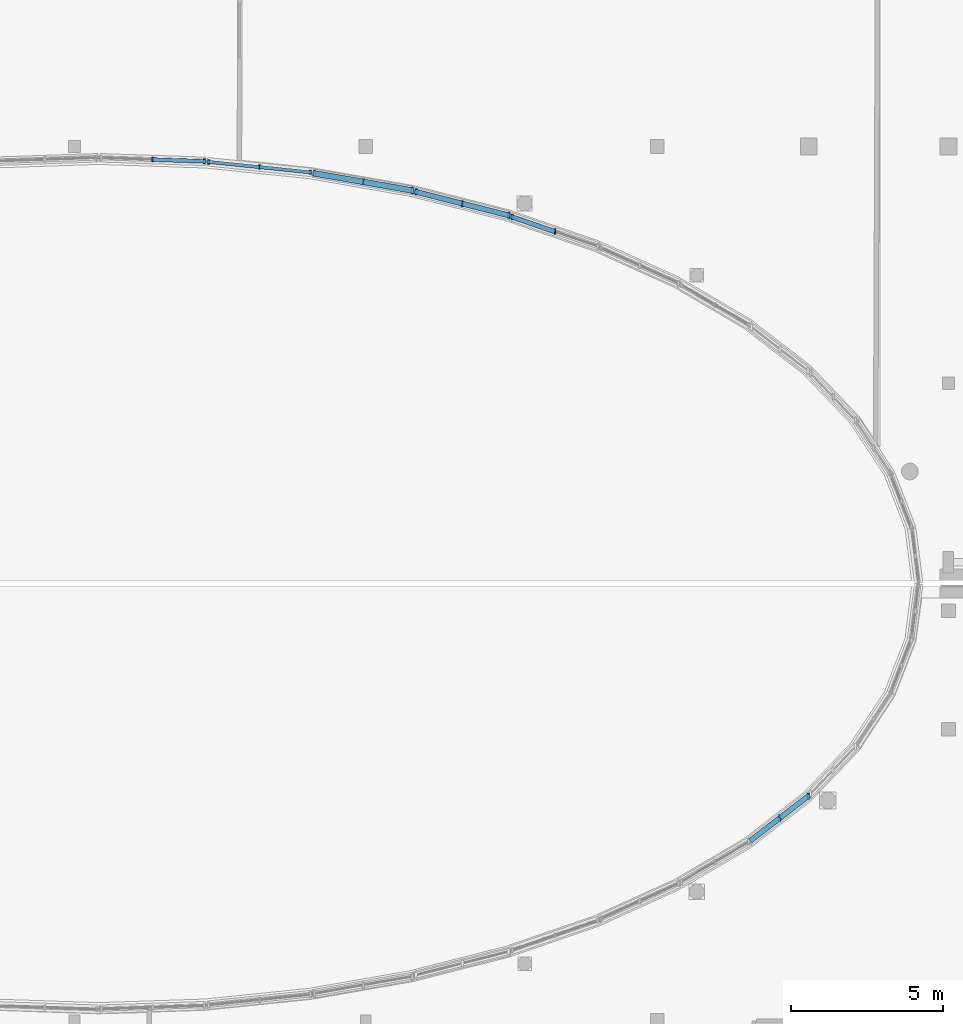
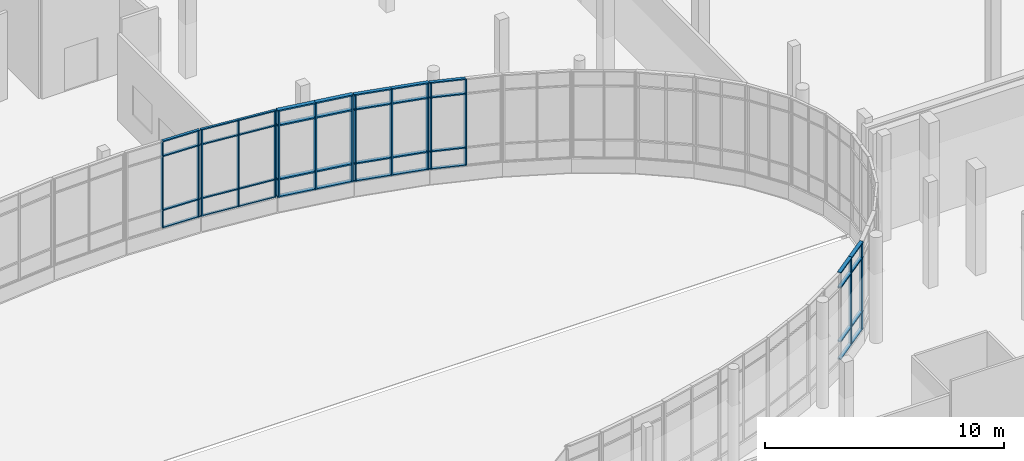
# One storey, part 23 of 84: 55 members, 6 elements without a shape of their own.
"""IFC4 building model written with IfcOpenShell, lengths in metres."""

import ifcopenshell
import ifcopenshell.guid

model = None  # the IFC model being written
_history = None  # IfcOwnerHistory: only IFC2X3 demands one
_inside = {}  # id of a spatial element -> (the spatial element, [elements in it])
_under = {}  # id of a project, library or spatial element -> (it, [spatial elements below it])
_declared = {}  # id of a project -> (the project, [libraries it declares])
_typed = {}  # id of a type object -> (the type object, [elements of that type])
_made_of = {}  # id of a material, layer set ... -> (it, [elements and type objects made of it])


def new_model(schema):
    """Start an empty IFC model of exactly this schema.

    Asked for "IFC4X3", IfcOpenShell would pick the latest addendum, in which some entities
    have other attributes; the version numbers below select the first issue.
    IFC2X3 requires an IfcOwnerHistory on every rooted entity: one is made here for all.
    """
    global model, _history
    if schema == "IFC4X3":
        model = ifcopenshell.file(schema_version=(4, 3, 0, 0))
    else:
        model = ifcopenshell.file(schema=schema)
    _inside.clear()
    _under.clear()
    _declared.clear()
    _typed.clear()
    _made_of.clear()
    _history = None
    if model.schema == "IFC2X3":
        org = make("IfcOrganization", Name="unknown")
        user = make(
            "IfcPersonAndOrganization",
            ThePerson=make("IfcPerson", FamilyName="unknown"),
            TheOrganization=org,
        )
        app = make(
            "IfcApplication",
            ApplicationDeveloper=org,
            Version="unknown",
            ApplicationFullName="unknown",
            ApplicationIdentifier="unknown",
        )
        _history = make(
            "IfcOwnerHistory",
            OwningUser=user,
            OwningApplication=app,
            ChangeAction="ADDED",
            CreationDate=0,
        )
    return model


def make(cls, **values):
    """One entity of the class cls with the attributes given. An attribute that is None is left unset."""
    return model.create_entity(
        cls, **{name: value for name, value in values.items() if value is not None}
    )


def rooted(cls, **values):
    """An entity with a GlobalId (a new one), such as an element, a storey or a relation."""
    return make(cls, GlobalId=ifcopenshell.guid.new(), OwnerHistory=_history, **values)


def si_unit(unit_type, name, prefix=None):
    """IfcSIUnit, for example si_unit("LENGTHUNIT", "METRE", prefix="MILLI")."""
    return make("IfcSIUnit", UnitType=unit_type, Prefix=prefix, Name=name)


def assignment(units):
    """IfcUnitAssignment: the units of a project."""
    return None if units is None else make("IfcUnitAssignment", Units=units)


def point(xyz):
    """IfcCartesianPoint."""
    return None if xyz is None else make("IfcCartesianPoint", Coordinates=xyz)


def direction(xyz):
    """IfcDirection."""
    return None if xyz is None else make("IfcDirection", DirectionRatios=xyz)


def frame(location, z_axis=None, x_axis=None):
    """IfcAxis2Placement3D, a coordinate frame: its origin and axes. An axis left out is left unset."""
    return make(
        "IfcAxis2Placement3D",
        Location=point(location),
        Axis=direction(z_axis),
        RefDirection=direction(x_axis),
    )


def frame_2d(location, x_axis=None):
    """IfcAxis2Placement2D, a coordinate frame in the plane: its origin and x axis."""
    return make(
        "IfcAxis2Placement2D", Location=point(location), RefDirection=direction(x_axis)
    )


def origin():
    """The frame at (0, 0, 0) with its axes left unset."""
    return frame((0.0, 0.0, 0.0))


def origin_2d():
    """The frame at (0, 0) in the plane with its x axis left unset."""
    return frame_2d((0.0, 0.0))


def place(relative_to, where):
    """IfcLocalPlacement: puts the frame where relative to a parent placement (None: the world)."""
    return make(
        "IfcLocalPlacement", PlacementRelTo=relative_to, RelativePlacement=where
    )


def context(
    kind, dimensions, precision=None, world=None, true_north=None, identifier=None
):
    """IfcGeometricRepresentationContext, for example the 3D "Model" context."""
    return make(
        "IfcGeometricRepresentationContext",
        ContextIdentifier=identifier,
        ContextType=kind,
        CoordinateSpaceDimension=dimensions,
        Precision=precision,
        WorldCoordinateSystem=world,
        TrueNorth=true_north,
    )


def subcontext(parent, identifier, kind, view, scale=None):
    """IfcGeometricRepresentationSubContext, for example "Body" below "Model"."""
    return make(
        "IfcGeometricRepresentationSubContext",
        ContextIdentifier=identifier,
        ContextType=kind,
        ParentContext=parent,
        TargetScale=scale,
        TargetView=view,
    )


def project(units=None, contexts=None):
    """IfcProject with its units and contexts."""
    return rooted(
        "IfcProject",
        Name="project",
        RepresentationContexts=contexts,
        UnitsInContext=assignment(units),
    )


def spatial(cls, under=None, at=None, **own):
    """A site, building, storey or space (cls), placed at a placement, below another one or the project."""
    s = rooted(cls, ObjectPlacement=at, **own)
    if under is not None:
        _under.setdefault(under.id(), (under, []))[1].append(s)
    return s


def profile(cls, at=None, kind="AREA", **sizes):
    """A parametric profile (cls). Its sizes go by their IFC names, for example OverallWidth=200.0."""
    return make(cls, ProfileType=kind, Position=at, **sizes)


def rectangle(**sizes):
    """IfcRectangleProfileDef."""
    return profile("IfcRectangleProfileDef", **sizes)


def extrude(swept, where, along, depth):
    """IfcExtrudedAreaSolid: the profile swept, set in the frame where, extruded along a direction by depth."""
    return make(
        "IfcExtrudedAreaSolid",
        SweptArea=swept,
        Position=where,
        ExtrudedDirection=direction(along),
        Depth=depth,
    )


def shape(context_of_items, identifier, shape_type, items):
    """IfcShapeRepresentation: the items that make up one representation, for example the "Body"."""
    return make(
        "IfcShapeRepresentation",
        ContextOfItems=context_of_items,
        RepresentationIdentifier=identifier,
        RepresentationType=shape_type,
        Items=items,
    )


def material(Name=None, Category=None):
    """IfcMaterial."""
    return make("IfcMaterial", Name=Name, Category=Category)


def material_profile(
    of_material, cross_section, Name=None, Category=None, Priority=None
):
    """IfcMaterialProfile: a cross section and its material."""
    return make(
        "IfcMaterialProfile",
        Name=Name,
        Material=of_material,
        Profile=cross_section,
        Priority=Priority,
        Category=Category,
    )


def profile_set(profiles, Name=None, composite=None):
    """IfcMaterialProfileSet."""
    return make(
        "IfcMaterialProfileSet",
        Name=Name,
        MaterialProfiles=profiles,
        CompositeProfile=composite,
    )


def made_of(thing, what):
    """Note that an element or type object is made of a material, layer set ...; save() writes the relation."""
    if what is not None:
        _made_of.setdefault(what.id(), (what, []))[1].append(thing)
    return thing


def type_object(cls, material=None, **own):
    """A type object (cls), such as IfcWallType, which elements share."""
    return made_of(rooted(cls, **own), material)


def element(
    cls,
    number,
    at=None,
    inside=None,
    cuts=None,
    type_object=None,
    material=None,
    context=None,
    identifier="Body",
    shape_type=None,
    held_by="IfcProductDefinitionShape",
    body=None,
    shapes=None,
    **own,
):
    """One element of the class cls, such as IfcWall. Its Tag is "e" and its number.

    at: its placement. inside: the storey or other place that contains it. cuts: it is an
    opening in that element (IfcRelVoidsElement). A single representation is given by context,
    identifier, shape_type and body (its items); several are given by shapes. held_by: the class
    of the entity that holds the representations. save() writes the other relations.
    """
    e = rooted(cls, Tag="e%d" % number, ObjectPlacement=at, **own)
    if body is not None:
        shapes = [shape(context, identifier, shape_type, body)]
    if shapes is not None:
        e.Representation = make(held_by, Representations=shapes)
    if inside is not None:
        _inside.setdefault(inside.id(), (inside, []))[1].append(e)
    if cuts is not None:
        rooted(
            "IfcRelVoidsElement", RelatingBuildingElement=cuts, RelatedOpeningElement=e
        )
    if type_object is not None:
        _typed.setdefault(type_object.id(), (type_object, []))[1].append(e)
    return made_of(e, material)


def aggregate(whole, parts):
    """IfcRelAggregates: a whole, such as a stair, and the parts it consists of."""
    return rooted("IfcRelAggregates", RelatingObject=whole, RelatedObjects=parts)


def save(model, path):
    """Write the relations noted so far, then the file.

    IfcRelAggregates (storeys below a building ...), IfcRelContainedInSpatialStructure (elements
    in a storey), IfcRelDefinesByType, IfcRelAssociatesMaterial and IfcRelDeclares: one each for
    every whole, place, type object, material and project.
    """
    for whole, parts in _under.values():
        aggregate(whole, parts)
    for where, things in _inside.values():
        rooted(
            "IfcRelContainedInSpatialStructure",
            RelatedElements=things,
            RelatingStructure=where,
        )
    for kind, things in _typed.values():
        rooted("IfcRelDefinesByType", RelatedObjects=things, RelatingType=kind)
    for what, things in _made_of.values():
        rooted("IfcRelAssociatesMaterial", RelatedObjects=things, RelatingMaterial=what)
    for by, libraries in _declared.values():
        rooted("IfcRelDeclares", RelatingContext=by, RelatedDefinitions=libraries)
    model.write(path)


model = new_model("IFC4")

# Units and contexts
model_context = context("Model", 3, precision=1e-05, world=origin(), true_north=direction((0.0, 1.0)))
body_context = subcontext(model_context, "Body", "Model", "MODEL_VIEW")
ifc_project = project(units=[si_unit("LENGTHUNIT", "METRE"), si_unit("AREAUNIT", "SQUARE_METRE"), si_unit("VOLUMEUNIT", "CUBIC_METRE"), si_unit("PLANEANGLEUNIT", "RADIAN"), si_unit("MASSUNIT", "GRAM", prefix="KILO")], contexts=[model_context])

# Site, building, storey
site_placement = place(None, origin())
site = spatial("IfcSite", under=ifc_project, at=site_placement, CompositionType="ELEMENT")
building_placement = place(site_placement, origin())
building = spatial("IfcBuilding", under=site, at=building_placement, Name="Mzevani Central Library", CompositionType="ELEMENT")
storey_placement = place(building_placement, origin())
storey = spatial("IfcBuildingStorey", under=building, at=storey_placement, Name="L00", CompositionType="ELEMENT", Elevation=0.0)

# Curtain wall, members
ifc_material_1 = material(Name="Thermally broken aluminium and Low-E triple glazing", Category="aluminium")
curtain_wall_type_1 = type_object("IfcCurtainWallType", Name="Elliptical Court Unitised Curtain Wall", PredefinedType="NOTDEFINED", material=ifc_material_1)
curtain_wall_1_placement = place(storey_placement, origin())
curtain_wall_1 = element("IfcCurtainWall", 1, at=curtain_wall_1_placement, inside=storey, type_object=curtain_wall_type_1, Name="L00 Elliptical Court Curtain Wall 11", PredefinedType="NOTDEFINED")
ifc_material_2 = material(Name="Thermally broken aluminium AW-6060", Category="aluminium")
ifc_material_profile_1 = material_profile(ifc_material_2, rectangle(XDim=0.06005859375, YDim=0.139892578125, at=origin_2d()), Name="ALU M60x140")
ifc_profile_set_1 = profile_set([ifc_material_profile_1], Name="Thermally broken aluminium AW-6060")
member_type_1 = type_object("IfcMemberType", Name="CW Mullion 60x140", PredefinedType="MULLION", material=ifc_profile_set_1)
member_1_placement = place(storey_placement, frame((90.9658203125, 89.552001953125, 0.719970703125), z_axis=(0.0, 0.0, 1.0), x_axis=(1.0, 0.0, 0.0)))
member_1 = element("IfcMember", 2, at=member_1_placement, type_object=member_type_1, Name="L00 Elliptical Court Curtain Wall 11 Mullion 1", PredefinedType="MULLION", context=body_context, shape_type="SweptSolid", body=[
    extrude(rectangle(XDim=0.06005859375, YDim=0.139892578125, at=origin_2d()), origin(), (0.0, 0.0, 1.0), 4.400146484375),
])
member_2_placement = place(storey_placement, frame((89.29638671875, 89.72314453125, 0.719970703125), z_axis=(0.0, 0.0, 1.0), x_axis=(1.0, 0.0, 0.0)))
member_2 = element("IfcMember", 3, at=member_2_placement, type_object=member_type_1, Name="L00 Elliptical Court Curtain Wall 11 Mullion 2", PredefinedType="MULLION", context=body_context, shape_type="SweptSolid", body=[
    extrude(rectangle(XDim=0.06005859375, YDim=0.139892578125, at=origin_2d()), origin(), (0.0, 0.0, 1.0), 4.400146484375),
])
member_3_placement = place(storey_placement, frame((87.626953125, 89.894287109375, 0.719970703125), z_axis=(0.0, 0.0, 1.0), x_axis=(1.0, 0.0, 0.0)))
member_3 = element("IfcMember", 4, at=member_3_placement, type_object=member_type_1, Name="L00 Elliptical Court Curtain Wall 11 Mullion 3", PredefinedType="MULLION", context=body_context, shape_type="SweptSolid", body=[
    extrude(rectangle(XDim=0.06005859375, YDim=0.139892578125, at=origin_2d()), origin(), (0.0, 0.0, 1.0), 4.400146484375),
])

curtain_wall_2_placement = place(storey_placement, origin())
curtain_wall_2 = element("IfcCurtainWall", 5, at=curtain_wall_2_placement, inside=storey, type_object=curtain_wall_type_1, Name="L00 Elliptical Court Curtain Wall 12", PredefinedType="NOTDEFINED")
ifc_material_profile_2 = material_profile(ifc_material_2, rectangle(XDim=0.06005859375, YDim=0.159912109375, at=origin_2d()), Name="ALU M60x160")
ifc_profile_set_2 = profile_set([ifc_material_profile_2], Name="Thermally broken aluminium AW-6060")
member_type_2 = type_object("IfcMemberType", Name="CW Mullion 60x160", PredefinedType="MULLION", material=ifc_profile_set_2)
member_4_placement = place(storey_placement, frame((87.475830078125, 89.9140625, 0.719970703125), z_axis=(0.0, 0.0, 1.0), x_axis=(1.0, 0.0, 0.0)))
member_4 = element("IfcMember", 6, at=member_4_placement, type_object=member_type_2, Name="L00 Elliptical Court Curtain Wall 12 Mullion 1", PredefinedType="MULLION", context=body_context, shape_type="SweptSolid", body=[
    extrude(rectangle(XDim=0.06005859375, YDim=0.159912109375, at=origin_2d()), origin(), (0.0, 0.0, 1.0), 4.400146484375),
])
member_5_placement = place(storey_placement, frame((85.77685546875, 89.971435546875, 0.719970703125), z_axis=(0.0, 0.0, 1.0), x_axis=(1.0, 0.0, 0.0)))
member_5 = element("IfcMember", 7, at=member_5_placement, type_object=member_type_2, Name="L00 Elliptical Court Curtain Wall 12 Mullion 2", PredefinedType="MULLION", context=body_context, shape_type="SweptSolid", body=[
    extrude(rectangle(XDim=0.06005859375, YDim=0.159912109375, at=origin_2d()), origin(), (0.0, 0.0, 1.0), 4.400146484375),
])

curtain_wall_3_placement = place(storey_placement, origin())
curtain_wall_3 = element("IfcCurtainWall", 8, at=curtain_wall_3_placement, inside=storey, type_object=curtain_wall_type_1, Name="L00 Elliptical Court Curtain Wall 8", PredefinedType="NOTDEFINED")
ifc_material_profile_3 = material_profile(ifc_material_2, rectangle(XDim=0.06005859375, YDim=0.179931640625, at=origin_2d()), Name="ALU M60x180")
ifc_profile_set_3 = profile_set([ifc_material_profile_3], Name="Thermally broken aluminium AW-6060")
member_type_3 = type_object("IfcMemberType", Name="CW Mullion 60x180", PredefinedType="MULLION", material=ifc_profile_set_3)
member_6_placement = place(storey_placement, frame((99.031494140625, 87.59423828125, 0.719970703125), z_axis=(0.0, 0.0, 1.0), x_axis=(1.0, 0.0, 0.0)))
member_6 = element("IfcMember", 9, at=member_6_placement, type_object=member_type_3, Name="L00 Elliptical Court Curtain Wall 8 Mullion 2", PredefinedType="MULLION", context=body_context, shape_type="SweptSolid", body=[
    extrude(rectangle(XDim=0.06005859375, YDim=0.179931640625, at=origin_2d()), origin(), (0.0, 0.0, 1.0), 4.400146484375),
])
member_7_placement = place(storey_placement, frame((97.62158203125, 88.079833984375, 0.719970703125), z_axis=(0.0, 0.0, 1.0), x_axis=(1.0, 0.0, 0.0)))
member_7 = element("IfcMember", 10, at=member_7_placement, type_object=member_type_3, Name="L00 Elliptical Court Curtain Wall 8 Mullion 3", PredefinedType="MULLION", context=body_context, shape_type="SweptSolid", body=[
    extrude(rectangle(XDim=0.06005859375, YDim=0.179931640625, at=origin_2d()), origin(), (0.0, 0.0, 1.0), 4.400146484375),
])

curtain_wall_4_placement = place(storey_placement, origin())
curtain_wall_4 = element("IfcCurtainWall", 11, at=curtain_wall_4_placement, inside=storey, type_object=curtain_wall_type_1, Name="L00 Elliptical Court Curtain Wall 9", PredefinedType="NOTDEFINED")
ifc_material_profile_4 = material_profile(ifc_material_2, rectangle(XDim=0.06494140625, YDim=0.199951171875, at=origin_2d()), Name="ALU M65x200")
ifc_profile_set_4 = profile_set([ifc_material_profile_4], Name="Thermally broken aluminium AW-6060")
member_type_4 = type_object("IfcMemberType", Name="CW Mullion 65x200", PredefinedType="MULLION", material=ifc_profile_set_4)
member_8_placement = place(storey_placement, frame((97.503662109375, 88.133056640625, 0.719970703125), z_axis=(0.0, 0.0, 1.0), x_axis=(1.0, 0.0, 0.0)))
member_8 = element("IfcMember", 12, at=member_8_placement, type_object=member_type_4, Name="L00 Elliptical Court Curtain Wall 9 Mullion 1", PredefinedType="MULLION", context=body_context, shape_type="SweptSolid", body=[
    extrude(rectangle(XDim=0.06494140625, YDim=0.199951171875, at=origin_2d()), origin(), (0.0, 0.0, 1.0), 4.400146484375),
])
member_9_placement = place(storey_placement, frame((95.97998046875, 88.520263671875, 0.719970703125), z_axis=(0.0, 0.0, 1.0), x_axis=(1.0, 0.0, 0.0)))
member_9 = element("IfcMember", 13, at=member_9_placement, type_object=member_type_4, Name="L00 Elliptical Court Curtain Wall 9 Mullion 2", PredefinedType="MULLION", context=body_context, shape_type="SweptSolid", body=[
    extrude(rectangle(XDim=0.06494140625, YDim=0.199951171875, at=origin_2d()), origin(), (0.0, 0.0, 1.0), 4.400146484375),
])
member_10_placement = place(storey_placement, frame((94.45654296875, 88.907470703125, 0.719970703125), z_axis=(0.0, 0.0, 1.0), x_axis=(1.0, 0.0, 0.0)))
member_10 = element("IfcMember", 14, at=member_10_placement, type_object=member_type_4, Name="L00 Elliptical Court Curtain Wall 9 Mullion 3", PredefinedType="MULLION", context=body_context, shape_type="SweptSolid", body=[
    extrude(rectangle(XDim=0.06494140625, YDim=0.199951171875, at=origin_2d()), origin(), (0.0, 0.0, 1.0), 4.400146484375),
])

curtain_wall_5_placement = place(storey_placement, origin())
curtain_wall_5 = element("IfcCurtainWall", 15, at=curtain_wall_5_placement, inside=storey, type_object=curtain_wall_type_1, Name="L00 Elliptical Court Curtain Wall 44", PredefinedType="NOTDEFINED")
member_11_placement = place(storey_placement, frame((106.443603515625, 68.27099609375, 0.719970703125), z_axis=(0.0, 0.0, 1.0), x_axis=(1.0, 0.0, 0.0)))
member_11 = element("IfcMember", 16, at=member_11_placement, type_object=member_type_4, Name="L00 Elliptical Court Curtain Wall 44 Mullion 2", PredefinedType="MULLION", context=body_context, shape_type="SweptSolid", body=[
    extrude(rectangle(XDim=0.06494140625, YDim=0.199951171875, at=origin_2d()), origin(), (0.0, 0.0, 1.0), 4.400146484375),
])
member_12_placement = place(storey_placement, frame((107.3779296875, 68.99169921875, 0.719970703125), z_axis=(0.0, 0.0, 1.0), x_axis=(1.0, 0.0, 0.0)))
member_12 = element("IfcMember", 17, at=member_12_placement, type_object=member_type_4, Name="L00 Elliptical Court Curtain Wall 44 Mullion 3", PredefinedType="MULLION", context=body_context, shape_type="SweptSolid", body=[
    extrude(rectangle(XDim=0.06494140625, YDim=0.199951171875, at=origin_2d()), origin(), (0.0, 0.0, 1.0), 4.400146484375),
])

curtain_wall_type_2 = type_object("IfcCurtainWallType", Name="Reading Hall Northlight Curtain Wall", PredefinedType="NOTDEFINED", material=ifc_material_1)
curtain_wall_6_placement = place(storey_placement, origin())
curtain_wall_6 = element("IfcCurtainWall", 18, at=curtain_wall_6_placement, inside=storey, type_object=curtain_wall_type_2, Name="L00 Elliptical Court Curtain Wall 10", PredefinedType="NOTDEFINED")
ifc_material_profile_5 = material_profile(ifc_material_2, rectangle(XDim=0.070068359375, YDim=0.219970703125, at=origin_2d()), Name="ALU M70x220")
ifc_profile_set_5 = profile_set([ifc_material_profile_5], Name="Thermally broken aluminium AW-6060")
member_type_5 = type_object("IfcMemberType", Name="CW Mullion 70x220", PredefinedType="MULLION", material=ifc_profile_set_5)
member_13_placement = place(storey_placement, frame((94.32763671875, 88.953125, 0.719970703125), z_axis=(0.0, 0.0, 1.0), x_axis=(1.0, 0.0, 0.0)))
member_13 = element("IfcMember", 19, at=member_13_placement, type_object=member_type_5, Name="L00 Elliptical Court Curtain Wall 10 Mullion 1", PredefinedType="MULLION", context=body_context, shape_type="SweptSolid", body=[
    extrude(rectangle(XDim=0.070068359375, YDim=0.219970703125, at=origin_2d()), origin(), (0.0, 0.0, 1.0), 4.400146484375),
])
member_14_placement = place(storey_placement, frame((92.717041015625, 89.235107421875, 0.719970703125), z_axis=(0.0, 0.0, 1.0), x_axis=(1.0, 0.0, 0.0)))
member_14 = element("IfcMember", 20, at=member_14_placement, type_object=member_type_5, Name="L00 Elliptical Court Curtain Wall 10 Mullion 2", PredefinedType="MULLION", context=body_context, shape_type="SweptSolid", body=[
    extrude(rectangle(XDim=0.070068359375, YDim=0.219970703125, at=origin_2d()), origin(), (0.0, 0.0, 1.0), 4.400146484375),
])
member_15_placement = place(storey_placement, frame((91.106689453125, 89.516845703125, 0.719970703125), z_axis=(0.0, 0.0, 1.0), x_axis=(1.0, 0.0, 0.0)))
member_15 = element("IfcMember", 21, at=member_15_placement, type_object=member_type_5, Name="L00 Elliptical Court Curtain Wall 10 Mullion 3", PredefinedType="MULLION", context=body_context, shape_type="SweptSolid", body=[
    extrude(rectangle(XDim=0.070068359375, YDim=0.219970703125, at=origin_2d()), origin(), (0.0, 0.0, 1.0), 4.400146484375),
])

# Member
ifc_material_profile_6 = material_profile(ifc_material_2, rectangle(XDim=0.110107421875, YDim=0.06005859375, at=origin_2d()), Name="ALU T60x110")
ifc_profile_set_6 = profile_set([ifc_material_profile_6], Name="Thermally broken aluminium AW-6060")
member_type_6 = type_object("IfcMemberType", Name="CW Transom 60x110", PredefinedType="USERDEFINED", material=ifc_profile_set_6)
member_16_placement = place(storey_placement, frame((91.015625, 89.546875, 0.719970703125), z_axis=(-0.994785114337, 0.101993020811, 0.0), x_axis=(-0.101993020811, -0.994785114337, 0.0)))
member_16 = element("IfcMember", 22, at=member_16_placement, type_object=member_type_6, Name="L00 Elliptical Court Curtain Wall 11 Transom 1", ObjectType="TRANSOM", PredefinedType="USERDEFINED", context=body_context, shape_type="SweptSolid", body=[
    extrude(rectangle(XDim=0.110107421875, YDim=0.06005859375, at=origin_2d()), origin(), (0.0, 0.0, 1.0), 1.728271484375),
])

member_17_placement = place(storey_placement, frame((91.015625, 89.546875, 1.6201171875), z_axis=(-0.994785114337, 0.101993020811, 0.0), x_axis=(-0.101993020811, -0.994785114337, 0.0)))
member_17 = element("IfcMember", 23, at=member_17_placement, type_object=member_type_6, Name="L00 Elliptical Court Curtain Wall 11 Transom 2", ObjectType="TRANSOM", PredefinedType="USERDEFINED", context=body_context, shape_type="SweptSolid", body=[
    extrude(rectangle(XDim=0.110107421875, YDim=0.06005859375, at=origin_2d()), origin(), (0.0, 0.0, 1.0), 1.728271484375),
])

member_18_placement = place(storey_placement, frame((91.015625, 89.546875, 4.3701171875), z_axis=(-0.994785114337, 0.101993020811, 0.0), x_axis=(-0.101993020811, -0.994785114337, 0.0)))
member_18 = element("IfcMember", 24, at=member_18_placement, type_object=member_type_6, Name="L00 Elliptical Court Curtain Wall 11 Transom 3", ObjectType="TRANSOM", PredefinedType="USERDEFINED", context=body_context, shape_type="SweptSolid", body=[
    extrude(rectangle(XDim=0.110107421875, YDim=0.06005859375, at=origin_2d()), origin(), (0.0, 0.0, 1.0), 1.728271484375),
])

member_19_placement = place(storey_placement, frame((91.015625, 89.546875, 5.1201171875), z_axis=(-0.994785114337, 0.101993020811, 0.0), x_axis=(-0.101993020811, -0.994785114337, 0.0)))
member_19 = element("IfcMember", 25, at=member_19_placement, type_object=member_type_6, Name="L00 Elliptical Court Curtain Wall 11 Transom 4", ObjectType="TRANSOM", PredefinedType="USERDEFINED", context=body_context, shape_type="SweptSolid", body=[
    extrude(rectangle(XDim=0.110107421875, YDim=0.06005859375, at=origin_2d()), origin(), (0.0, 0.0, 1.0), 1.728271484375),
])

member_20_placement = place(storey_placement, frame((89.29638671875, 89.72314453125, 0.719970703125), z_axis=(-0.994783644511, 0.102007355679, 0.0), x_axis=(-0.102007355679, -0.994783644511, 0.0)))
member_20 = element("IfcMember", 26, at=member_20_placement, type_object=member_type_6, Name="L00 Elliptical Court Curtain Wall 11 Transom 5", ObjectType="TRANSOM", PredefinedType="USERDEFINED", context=body_context, shape_type="SweptSolid", body=[
    extrude(rectangle(XDim=0.110107421875, YDim=0.06005859375, at=origin_2d()), origin(), (0.0, 0.0, 1.0), 1.72802734375),
])

member_21_placement = place(storey_placement, frame((89.29638671875, 89.72314453125, 1.6201171875), z_axis=(-0.994783644511, 0.102007355679, 0.0), x_axis=(-0.102007355679, -0.994783644511, 0.0)))
member_21 = element("IfcMember", 27, at=member_21_placement, type_object=member_type_6, Name="L00 Elliptical Court Curtain Wall 11 Transom 6", ObjectType="TRANSOM", PredefinedType="USERDEFINED", context=body_context, shape_type="SweptSolid", body=[
    extrude(rectangle(XDim=0.110107421875, YDim=0.06005859375, at=origin_2d()), origin(), (0.0, 0.0, 1.0), 1.72802734375),
])

member_22_placement = place(storey_placement, frame((89.29638671875, 89.72314453125, 4.3701171875), z_axis=(-0.994783644511, 0.102007355679, 0.0), x_axis=(-0.102007355679, -0.994783644511, 0.0)))
member_22 = element("IfcMember", 28, at=member_22_placement, type_object=member_type_6, Name="L00 Elliptical Court Curtain Wall 11 Transom 7", ObjectType="TRANSOM", PredefinedType="USERDEFINED", context=body_context, shape_type="SweptSolid", body=[
    extrude(rectangle(XDim=0.110107421875, YDim=0.06005859375, at=origin_2d()), origin(), (0.0, 0.0, 1.0), 1.72802734375),
])

member_23_placement = place(storey_placement, frame((89.29638671875, 89.72314453125, 5.1201171875), z_axis=(-0.994783644511, 0.102007355679, 0.0), x_axis=(-0.102007355679, -0.994783644511, 0.0)))
member_23 = element("IfcMember", 29, at=member_23_placement, type_object=member_type_6, Name="L00 Elliptical Court Curtain Wall 11 Transom 8", ObjectType="TRANSOM", PredefinedType="USERDEFINED", context=body_context, shape_type="SweptSolid", body=[
    extrude(rectangle(XDim=0.110107421875, YDim=0.06005859375, at=origin_2d()), origin(), (0.0, 0.0, 1.0), 1.72802734375),
])

aggregate(curtain_wall_1, [member_1, member_2, member_3, member_16, member_17, member_18, member_19, member_20, member_21, member_22, member_23])

ifc_material_profile_7 = material_profile(ifc_material_2, rectangle(XDim=0.1298828125, YDim=0.06005859375, at=origin_2d()), Name="ALU T60x130")
ifc_profile_set_7 = profile_set([ifc_material_profile_7], Name="Thermally broken aluminium AW-6060")
member_type_7 = type_object("IfcMemberType", Name="CW Transom 60x130", PredefinedType="USERDEFINED", material=ifc_profile_set_7)
member_24_placement = place(storey_placement, frame((87.52587890625, 89.912353515625, 0.719970703125), z_axis=(-0.999429943241, 0.033760754643, 0.0), x_axis=(-0.033760754643, -0.999429943241, 0.0)))
member_24 = element("IfcMember", 30, at=member_24_placement, type_object=member_type_7, Name="L00 Elliptical Court Curtain Wall 12 Transom 1", ObjectType="TRANSOM", PredefinedType="USERDEFINED", context=body_context, shape_type="SweptSolid", body=[
    extrude(rectangle(XDim=0.1298828125, YDim=0.06005859375, at=origin_2d()), origin(), (0.0, 0.0, 1.0), 1.75),
])

member_25_placement = place(storey_placement, frame((87.52587890625, 89.912353515625, 1.6201171875), z_axis=(-0.999429943241, 0.033760754643, 0.0), x_axis=(-0.033760754643, -0.999429943241, 0.0)))
member_25 = element("IfcMember", 31, at=member_25_placement, type_object=member_type_7, Name="L00 Elliptical Court Curtain Wall 12 Transom 2", ObjectType="TRANSOM", PredefinedType="USERDEFINED", context=body_context, shape_type="SweptSolid", body=[
    extrude(rectangle(XDim=0.1298828125, YDim=0.06005859375, at=origin_2d()), origin(), (0.0, 0.0, 1.0), 1.75),
])

member_26_placement = place(storey_placement, frame((87.52587890625, 89.912353515625, 4.3701171875), z_axis=(-0.999429943241, 0.033760754643, 0.0), x_axis=(-0.033760754643, -0.999429943241, 0.0)))
member_26 = element("IfcMember", 32, at=member_26_placement, type_object=member_type_7, Name="L00 Elliptical Court Curtain Wall 12 Transom 3", ObjectType="TRANSOM", PredefinedType="USERDEFINED", context=body_context, shape_type="SweptSolid", body=[
    extrude(rectangle(XDim=0.1298828125, YDim=0.06005859375, at=origin_2d()), origin(), (0.0, 0.0, 1.0), 1.75),
])

member_27_placement = place(storey_placement, frame((87.52587890625, 89.912353515625, 5.1201171875), z_axis=(-0.999429943241, 0.033760754643, 0.0), x_axis=(-0.033760754643, -0.999429943241, 0.0)))
member_27 = element("IfcMember", 33, at=member_27_placement, type_object=member_type_7, Name="L00 Elliptical Court Curtain Wall 12 Transom 4", ObjectType="TRANSOM", PredefinedType="USERDEFINED", context=body_context, shape_type="SweptSolid", body=[
    extrude(rectangle(XDim=0.1298828125, YDim=0.06005859375, at=origin_2d()), origin(), (0.0, 0.0, 1.0), 1.75),
])

aggregate(curtain_wall_2, [member_4, member_5, member_24, member_25, member_26, member_27])

ifc_material_profile_8 = material_profile(ifc_material_2, rectangle(XDim=0.14990234375, YDim=0.06005859375, at=origin_2d()), Name="ALU T60x150")
ifc_profile_set_8 = profile_set([ifc_material_profile_8], Name="Thermally broken aluminium AW-6060")
member_type_8 = type_object("IfcMemberType", Name="CW Transom 60x150", PredefinedType="USERDEFINED", material=ifc_profile_set_8)
member_28_placement = place(storey_placement, frame((99.031494140625, 87.59423828125, 0.719970703125), z_axis=(-0.945484024902, 0.325668479678, 0.0), x_axis=(-0.325668479678, -0.945484024902, 0.0)))
member_28 = element("IfcMember", 34, at=member_28_placement, type_object=member_type_8, Name="L00 Elliptical Court Curtain Wall 8 Transom 5", ObjectType="TRANSOM", PredefinedType="USERDEFINED", context=body_context, shape_type="SweptSolid", body=[
    extrude(rectangle(XDim=0.14990234375, YDim=0.06005859375, at=origin_2d()), origin(), (0.0, 0.0, 1.0), 1.541259765625),
])

member_29_placement = place(storey_placement, frame((99.031494140625, 87.59423828125, 1.6201171875), z_axis=(-0.945484024902, 0.325668479678, 0.0), x_axis=(-0.325668479678, -0.945484024902, 0.0)))
member_29 = element("IfcMember", 35, at=member_29_placement, type_object=member_type_8, Name="L00 Elliptical Court Curtain Wall 8 Transom 6", ObjectType="TRANSOM", PredefinedType="USERDEFINED", context=body_context, shape_type="SweptSolid", body=[
    extrude(rectangle(XDim=0.14990234375, YDim=0.06005859375, at=origin_2d()), origin(), (0.0, 0.0, 1.0), 1.541259765625),
])

member_30_placement = place(storey_placement, frame((99.031494140625, 87.59423828125, 4.3701171875), z_axis=(-0.945484024902, 0.325668479678, 0.0), x_axis=(-0.325668479678, -0.945484024902, 0.0)))
member_30 = element("IfcMember", 36, at=member_30_placement, type_object=member_type_8, Name="L00 Elliptical Court Curtain Wall 8 Transom 7", ObjectType="TRANSOM", PredefinedType="USERDEFINED", context=body_context, shape_type="SweptSolid", body=[
    extrude(rectangle(XDim=0.14990234375, YDim=0.06005859375, at=origin_2d()), origin(), (0.0, 0.0, 1.0), 1.541259765625),
])

member_31_placement = place(storey_placement, frame((99.031494140625, 87.59423828125, 5.1201171875), z_axis=(-0.945484024902, 0.325668479678, 0.0), x_axis=(-0.325668479678, -0.945484024902, 0.0)))
member_31 = element("IfcMember", 37, at=member_31_placement, type_object=member_type_8, Name="L00 Elliptical Court Curtain Wall 8 Transom 8", ObjectType="TRANSOM", PredefinedType="USERDEFINED", context=body_context, shape_type="SweptSolid", body=[
    extrude(rectangle(XDim=0.14990234375, YDim=0.06005859375, at=origin_2d()), origin(), (0.0, 0.0, 1.0), 1.541259765625),
])

aggregate(curtain_wall_3, [member_6, member_7, member_28, member_29, member_30, member_31])

ifc_material_profile_9 = material_profile(ifc_material_2, rectangle(XDim=0.169921875, YDim=0.06494140625, at=origin_2d()), Name="ALU T65x170")
ifc_profile_set_9 = profile_set([ifc_material_profile_9], Name="Thermally broken aluminium AW-6060")
member_type_9 = type_object("IfcMemberType", Name="CW Transom 65x170", PredefinedType="USERDEFINED", material=ifc_profile_set_9)
member_32_placement = place(storey_placement, frame((97.552001953125, 88.120849609375, 0.719970703125), z_axis=(-0.969205683279, 0.246252601001, 0.0), x_axis=(-0.246252601001, -0.969205683279, 0.0)))
member_32 = element("IfcMember", 38, at=member_32_placement, type_object=member_type_9, Name="L00 Elliptical Court Curtain Wall 9 Transom 1", ObjectType="TRANSOM", PredefinedType="USERDEFINED", context=body_context, shape_type="SweptSolid", body=[
    extrude(rectangle(XDim=0.169921875, YDim=0.06494140625, at=origin_2d()), origin(), (0.0, 0.0, 1.0), 1.6220703125),
])

member_33_placement = place(storey_placement, frame((97.552001953125, 88.120849609375, 1.6201171875), z_axis=(-0.969205683279, 0.246252601001, 0.0), x_axis=(-0.246252601001, -0.969205683279, 0.0)))
member_33 = element("IfcMember", 39, at=member_33_placement, type_object=member_type_9, Name="L00 Elliptical Court Curtain Wall 9 Transom 2", ObjectType="TRANSOM", PredefinedType="USERDEFINED", context=body_context, shape_type="SweptSolid", body=[
    extrude(rectangle(XDim=0.169921875, YDim=0.06494140625, at=origin_2d()), origin(), (0.0, 0.0, 1.0), 1.6220703125),
])

member_34_placement = place(storey_placement, frame((97.552001953125, 88.120849609375, 4.3701171875), z_axis=(-0.969205683279, 0.246252601001, 0.0), x_axis=(-0.246252601001, -0.969205683279, 0.0)))
member_34 = element("IfcMember", 40, at=member_34_placement, type_object=member_type_9, Name="L00 Elliptical Court Curtain Wall 9 Transom 3", ObjectType="TRANSOM", PredefinedType="USERDEFINED", context=body_context, shape_type="SweptSolid", body=[
    extrude(rectangle(XDim=0.169921875, YDim=0.06494140625, at=origin_2d()), origin(), (0.0, 0.0, 1.0), 1.6220703125),
])

member_35_placement = place(storey_placement, frame((97.552001953125, 88.120849609375, 5.1201171875), z_axis=(-0.969205683279, 0.246252601001, 0.0), x_axis=(-0.246252601001, -0.969205683279, 0.0)))
member_35 = element("IfcMember", 41, at=member_35_placement, type_object=member_type_9, Name="L00 Elliptical Court Curtain Wall 9 Transom 4", ObjectType="TRANSOM", PredefinedType="USERDEFINED", context=body_context, shape_type="SweptSolid", body=[
    extrude(rectangle(XDim=0.169921875, YDim=0.06494140625, at=origin_2d()), origin(), (0.0, 0.0, 1.0), 1.6220703125),
])

member_36_placement = place(storey_placement, frame((95.97998046875, 88.520263671875, 0.719970703125), z_axis=(-0.969169749502, 0.246393986634, 0.0), x_axis=(-0.246393986634, -0.969169749502, 0.0)))
member_36 = element("IfcMember", 42, at=member_36_placement, type_object=member_type_9, Name="L00 Elliptical Court Curtain Wall 9 Transom 5", ObjectType="TRANSOM", PredefinedType="USERDEFINED", context=body_context, shape_type="SweptSolid", body=[
    extrude(rectangle(XDim=0.169921875, YDim=0.06494140625, at=origin_2d()), origin(), (0.0, 0.0, 1.0), 1.6220703125),
])

member_37_placement = place(storey_placement, frame((95.97998046875, 88.520263671875, 1.6201171875), z_axis=(-0.969169749502, 0.246393986634, 0.0), x_axis=(-0.246393986634, -0.969169749502, 0.0)))
member_37 = element("IfcMember", 43, at=member_37_placement, type_object=member_type_9, Name="L00 Elliptical Court Curtain Wall 9 Transom 6", ObjectType="TRANSOM", PredefinedType="USERDEFINED", context=body_context, shape_type="SweptSolid", body=[
    extrude(rectangle(XDim=0.169921875, YDim=0.06494140625, at=origin_2d()), origin(), (0.0, 0.0, 1.0), 1.6220703125),
])

member_38_placement = place(storey_placement, frame((95.97998046875, 88.520263671875, 4.3701171875), z_axis=(-0.969169749502, 0.246393986634, 0.0), x_axis=(-0.246393986634, -0.969169749502, 0.0)))
member_38 = element("IfcMember", 44, at=member_38_placement, type_object=member_type_9, Name="L00 Elliptical Court Curtain Wall 9 Transom 7", ObjectType="TRANSOM", PredefinedType="USERDEFINED", context=body_context, shape_type="SweptSolid", body=[
    extrude(rectangle(XDim=0.169921875, YDim=0.06494140625, at=origin_2d()), origin(), (0.0, 0.0, 1.0), 1.6220703125),
])

member_39_placement = place(storey_placement, frame((95.97998046875, 88.520263671875, 5.1201171875), z_axis=(-0.969169749502, 0.246393986634, 0.0), x_axis=(-0.246393986634, -0.969169749502, 0.0)))
member_39 = element("IfcMember", 45, at=member_39_placement, type_object=member_type_9, Name="L00 Elliptical Court Curtain Wall 9 Transom 8", ObjectType="TRANSOM", PredefinedType="USERDEFINED", context=body_context, shape_type="SweptSolid", body=[
    extrude(rectangle(XDim=0.169921875, YDim=0.06494140625, at=origin_2d()), origin(), (0.0, 0.0, 1.0), 1.6220703125),
])

aggregate(curtain_wall_4, [member_8, member_9, member_10, member_32, member_33, member_34, member_35, member_36, member_37, member_38, member_39])

member_40_placement = place(storey_placement, frame((105.469970703125, 67.52001953125, 0.719970703125), z_axis=(0.791826150421, 0.610746549322, 0.0), x_axis=(-0.610746549322, 0.791826150421, 0.0)))
member_40 = element("IfcMember", 46, at=member_40_placement, type_object=member_type_9, Name="L00 Elliptical Court Curtain Wall 44 Transom 1", ObjectType="TRANSOM", PredefinedType="USERDEFINED", context=body_context, shape_type="SweptSolid", body=[
    extrude(rectangle(XDim=0.169921875, YDim=0.06494140625, at=origin_2d()), origin(), (0.0, 0.0, 1.0), 1.2294921875),
])

member_41_placement = place(storey_placement, frame((105.469970703125, 67.52001953125, 1.6201171875), z_axis=(0.791826150421, 0.610746549322, 0.0), x_axis=(-0.610746549322, 0.791826150421, 0.0)))
member_41 = element("IfcMember", 47, at=member_41_placement, type_object=member_type_9, Name="L00 Elliptical Court Curtain Wall 44 Transom 2", ObjectType="TRANSOM", PredefinedType="USERDEFINED", context=body_context, shape_type="SweptSolid", body=[
    extrude(rectangle(XDim=0.169921875, YDim=0.06494140625, at=origin_2d()), origin(), (0.0, 0.0, 1.0), 1.2294921875),
])

member_42_placement = place(storey_placement, frame((105.469970703125, 67.52001953125, 4.3701171875), z_axis=(0.791826150421, 0.610746549322, 0.0), x_axis=(-0.610746549322, 0.791826150421, 0.0)))
member_42 = element("IfcMember", 48, at=member_42_placement, type_object=member_type_9, Name="L00 Elliptical Court Curtain Wall 44 Transom 3", ObjectType="TRANSOM", PredefinedType="USERDEFINED", context=body_context, shape_type="SweptSolid", body=[
    extrude(rectangle(XDim=0.169921875, YDim=0.06494140625, at=origin_2d()), origin(), (0.0, 0.0, 1.0), 1.2294921875),
])

member_43_placement = place(storey_placement, frame((105.469970703125, 67.52001953125, 5.1201171875), z_axis=(0.791826150421, 0.610746549322, 0.0), x_axis=(-0.610746549322, 0.791826150421, 0.0)))
member_43 = element("IfcMember", 49, at=member_43_placement, type_object=member_type_9, Name="L00 Elliptical Court Curtain Wall 44 Transom 4", ObjectType="TRANSOM", PredefinedType="USERDEFINED", context=body_context, shape_type="SweptSolid", body=[
    extrude(rectangle(XDim=0.169921875, YDim=0.06494140625, at=origin_2d()), origin(), (0.0, 0.0, 1.0), 1.2294921875),
])

member_44_placement = place(storey_placement, frame((106.443603515625, 68.27099609375, 0.719970703125), z_axis=(0.791804197393, 0.610775010123, 0.0), x_axis=(-0.610775010123, 0.791804197393, 0.0)))
member_44 = element("IfcMember", 50, at=member_44_placement, type_object=member_type_9, Name="L00 Elliptical Court Curtain Wall 44 Transom 5", ObjectType="TRANSOM", PredefinedType="USERDEFINED", context=body_context, shape_type="SweptSolid", body=[
    extrude(rectangle(XDim=0.169921875, YDim=0.06494140625, at=origin_2d()), origin(), (0.0, 0.0, 1.0), 1.22998046875),
])

member_45_placement = place(storey_placement, frame((106.443603515625, 68.27099609375, 1.6201171875), z_axis=(0.791804197393, 0.610775010123, 0.0), x_axis=(-0.610775010123, 0.791804197393, 0.0)))
member_45 = element("IfcMember", 51, at=member_45_placement, type_object=member_type_9, Name="L00 Elliptical Court Curtain Wall 44 Transom 6", ObjectType="TRANSOM", PredefinedType="USERDEFINED", context=body_context, shape_type="SweptSolid", body=[
    extrude(rectangle(XDim=0.169921875, YDim=0.06494140625, at=origin_2d()), origin(), (0.0, 0.0, 1.0), 1.22998046875),
])

member_46_placement = place(storey_placement, frame((106.443603515625, 68.27099609375, 4.3701171875), z_axis=(0.791804197393, 0.610775010123, 0.0), x_axis=(-0.610775010123, 0.791804197393, 0.0)))
member_46 = element("IfcMember", 52, at=member_46_placement, type_object=member_type_9, Name="L00 Elliptical Court Curtain Wall 44 Transom 7", ObjectType="TRANSOM", PredefinedType="USERDEFINED", context=body_context, shape_type="SweptSolid", body=[
    extrude(rectangle(XDim=0.169921875, YDim=0.06494140625, at=origin_2d()), origin(), (0.0, 0.0, 1.0), 1.22998046875),
])

member_47_placement = place(storey_placement, frame((106.443603515625, 68.27099609375, 5.1201171875), z_axis=(0.791804197393, 0.610775010123, 0.0), x_axis=(-0.610775010123, 0.791804197393, 0.0)))
member_47 = element("IfcMember", 53, at=member_47_placement, type_object=member_type_9, Name="L00 Elliptical Court Curtain Wall 44 Transom 8", ObjectType="TRANSOM", PredefinedType="USERDEFINED", context=body_context, shape_type="SweptSolid", body=[
    extrude(rectangle(XDim=0.169921875, YDim=0.06494140625, at=origin_2d()), origin(), (0.0, 0.0, 1.0), 1.22998046875),
])

aggregate(curtain_wall_5, [member_11, member_12, member_40, member_41, member_42, member_43, member_44, member_45, member_46, member_47])

ifc_material_profile_10 = material_profile(ifc_material_2, rectangle(XDim=0.18994140625, YDim=0.070068359375, at=origin_2d()), Name="ALU T70x190")
ifc_profile_set_10 = profile_set([ifc_material_profile_10], Name="Thermally broken aluminium AW-6060")
member_type_10 = type_object("IfcMemberType", Name="CW Transom 70x190", PredefinedType="USERDEFINED", material=ifc_profile_set_10)
member_48_placement = place(storey_placement, frame((94.376953125, 88.944580078125, 0.719970703125), z_axis=(-0.985026161799, 0.172404931981, 0.0), x_axis=(-0.172404931981, -0.985026161799, 0.0)))
member_48 = element("IfcMember", 54, at=member_48_placement, type_object=member_type_10, Name="L00 Elliptical Court Curtain Wall 10 Transom 1", ObjectType="TRANSOM", PredefinedType="USERDEFINED", context=body_context, shape_type="SweptSolid", body=[
    extrude(rectangle(XDim=0.18994140625, YDim=0.070068359375, at=origin_2d()), origin(), (0.0, 0.0, 1.0), 1.68505859375),
])

member_49_placement = place(storey_placement, frame((94.376953125, 88.944580078125, 1.6201171875), z_axis=(-0.985026161799, 0.172404931981, 0.0), x_axis=(-0.172404931981, -0.985026161799, 0.0)))
member_49 = element("IfcMember", 55, at=member_49_placement, type_object=member_type_10, Name="L00 Elliptical Court Curtain Wall 10 Transom 2", ObjectType="TRANSOM", PredefinedType="USERDEFINED", context=body_context, shape_type="SweptSolid", body=[
    extrude(rectangle(XDim=0.18994140625, YDim=0.070068359375, at=origin_2d()), origin(), (0.0, 0.0, 1.0), 1.68505859375),
])

member_50_placement = place(storey_placement, frame((94.376953125, 88.944580078125, 4.3701171875), z_axis=(-0.985026161799, 0.172404931981, 0.0), x_axis=(-0.172404931981, -0.985026161799, 0.0)))
member_50 = element("IfcMember", 56, at=member_50_placement, type_object=member_type_10, Name="L00 Elliptical Court Curtain Wall 10 Transom 3", ObjectType="TRANSOM", PredefinedType="USERDEFINED", context=body_context, shape_type="SweptSolid", body=[
    extrude(rectangle(XDim=0.18994140625, YDim=0.070068359375, at=origin_2d()), origin(), (0.0, 0.0, 1.0), 1.68505859375),
])

member_51_placement = place(storey_placement, frame((94.376953125, 88.944580078125, 5.1201171875), z_axis=(-0.985026161799, 0.172404931981, 0.0), x_axis=(-0.172404931981, -0.985026161799, 0.0)))
member_51 = element("IfcMember", 57, at=member_51_placement, type_object=member_type_10, Name="L00 Elliptical Court Curtain Wall 10 Transom 4", ObjectType="TRANSOM", PredefinedType="USERDEFINED", context=body_context, shape_type="SweptSolid", body=[
    extrude(rectangle(XDim=0.18994140625, YDim=0.070068359375, at=origin_2d()), origin(), (0.0, 0.0, 1.0), 1.68505859375),
])

member_52_placement = place(storey_placement, frame((92.717041015625, 89.235107421875, 0.719970703125), z_axis=(-0.985046455782, 0.172288943208, 0.0), x_axis=(-0.172288943208, -0.985046455782, 0.0)))
member_52 = element("IfcMember", 58, at=member_52_placement, type_object=member_type_10, Name="L00 Elliptical Court Curtain Wall 10 Transom 5", ObjectType="TRANSOM", PredefinedType="USERDEFINED", context=body_context, shape_type="SweptSolid", body=[
    extrude(rectangle(XDim=0.18994140625, YDim=0.070068359375, at=origin_2d()), origin(), (0.0, 0.0, 1.0), 1.684814453125),
])

member_53_placement = place(storey_placement, frame((92.717041015625, 89.235107421875, 1.6201171875), z_axis=(-0.985046455782, 0.172288943208, 0.0), x_axis=(-0.172288943208, -0.985046455782, 0.0)))
member_53 = element("IfcMember", 59, at=member_53_placement, type_object=member_type_10, Name="L00 Elliptical Court Curtain Wall 10 Transom 6", ObjectType="TRANSOM", PredefinedType="USERDEFINED", context=body_context, shape_type="SweptSolid", body=[
    extrude(rectangle(XDim=0.18994140625, YDim=0.070068359375, at=origin_2d()), origin(), (0.0, 0.0, 1.0), 1.684814453125),
])

member_54_placement = place(storey_placement, frame((92.717041015625, 89.235107421875, 4.3701171875), z_axis=(-0.985046455782, 0.172288943208, 0.0), x_axis=(-0.172288943208, -0.985046455782, 0.0)))
member_54 = element("IfcMember", 60, at=member_54_placement, type_object=member_type_10, Name="L00 Elliptical Court Curtain Wall 10 Transom 7", ObjectType="TRANSOM", PredefinedType="USERDEFINED", context=body_context, shape_type="SweptSolid", body=[
    extrude(rectangle(XDim=0.18994140625, YDim=0.070068359375, at=origin_2d()), origin(), (0.0, 0.0, 1.0), 1.684814453125),
])

member_55_placement = place(storey_placement, frame((92.717041015625, 89.235107421875, 5.1201171875), z_axis=(-0.985046455782, 0.172288943208, 0.0), x_axis=(-0.172288943208, -0.985046455782, 0.0)))
member_55 = element("IfcMember", 61, at=member_55_placement, type_object=member_type_10, Name="L00 Elliptical Court Curtain Wall 10 Transom 8", ObjectType="TRANSOM", PredefinedType="USERDEFINED", context=body_context, shape_type="SweptSolid", body=[
    extrude(rectangle(XDim=0.18994140625, YDim=0.070068359375, at=origin_2d()), origin(), (0.0, 0.0, 1.0), 1.684814453125),
])

aggregate(curtain_wall_6, [member_13, member_14, member_15, member_48, member_49, member_50, member_51, member_52, member_53, member_54, member_55])

save(model, "model.ifc")
